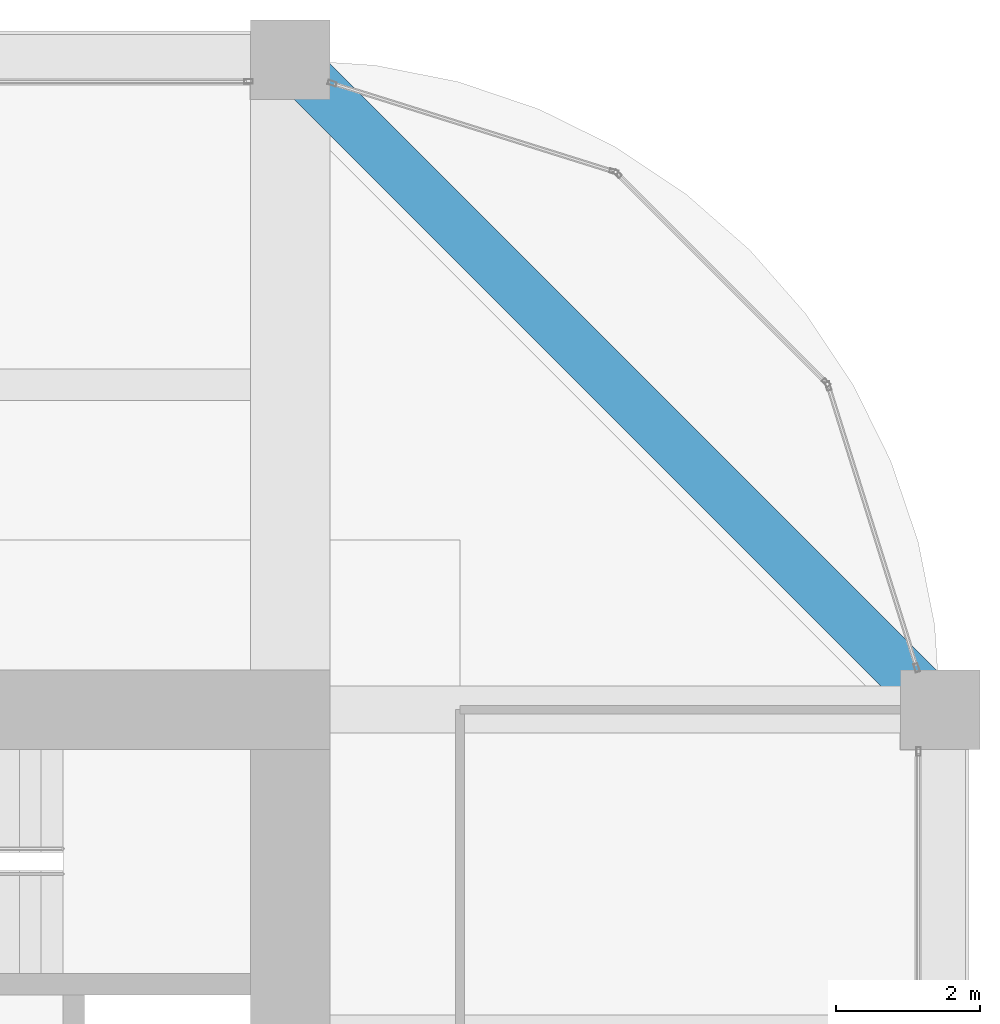
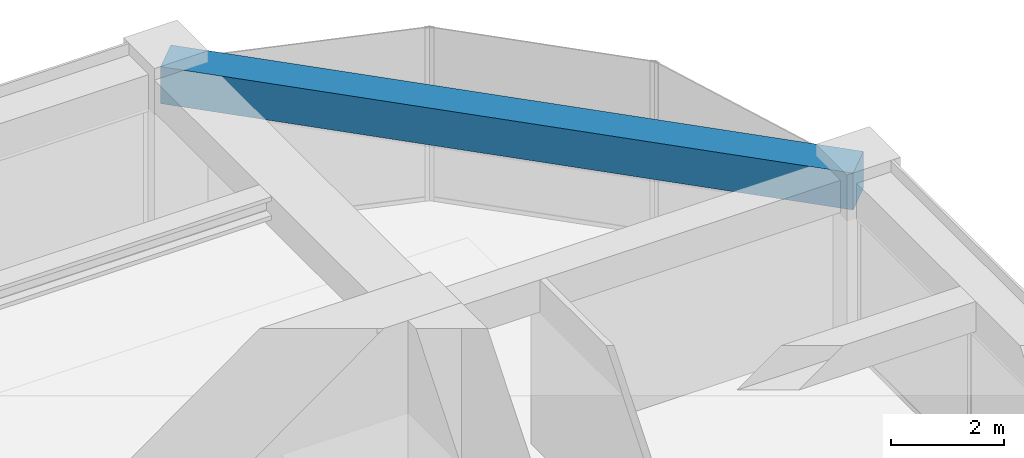
# One storey, part 38 of 45: 1 beam.
"""IFC4 building model written with IfcOpenShell, lengths in metres."""

from ifc_helpers import new_model, si_unit, direction, frame, origin, origin_2d, place, context, subcontext, project, spatial, rectangle, extrude, material, material_profile, profile_set, type_object, element, save


model = new_model("IFC4")

# Units and contexts
model_context = context("Model", 3, precision=1e-05, world=origin(), true_north=direction((0.0, 1.0)))
body_context = subcontext(model_context, "Body", "Model", "MODEL_VIEW")
ifc_project = project(units=[si_unit("LENGTHUNIT", "METRE"), si_unit("AREAUNIT", "SQUARE_METRE"), si_unit("VOLUMEUNIT", "CUBIC_METRE"), si_unit("PLANEANGLEUNIT", "RADIAN"), si_unit("MASSUNIT", "GRAM", prefix="KILO")], contexts=[model_context])

# Site, building, storey
site_placement = place(None, origin())
site = spatial("IfcSite", under=ifc_project, at=site_placement, CompositionType="ELEMENT")
building_placement = place(site_placement, origin())
building = spatial("IfcBuilding", under=site, at=building_placement, Name="Zorevar Civic Tower", CompositionType="ELEMENT")
storey_placement = place(building_placement, frame((0.0, 0.0, 303.39990234375)))
storey = spatial("IfcBuildingStorey", under=building, at=storey_placement, Name="L74", CompositionType="ELEMENT", Elevation=303.39990234375)

# Beam
ifc_material = material(Name="Concrete C50/60", Category="concrete")
ifc_material_profile = material_profile(ifc_material, rectangle(XDim=0.699951171875, YDim=0.800048828125, at=origin_2d()), Name="RC 700x800")
ifc_profile_set = profile_set([ifc_material_profile], Name="Concrete C50/60")
beam_type = type_object("IfcBeamType", Name="Edge beam RC 700x800", PredefinedType="SPANDREL", material=ifc_profile_set)
beam_placement = place(storey_placement, frame((54.0, 36.0, 3.35009765625), z_axis=(-0.707106781187, 0.707106781187, 0.0), x_axis=(-0.707106781187, -0.707106781187, 0.0)))
element("IfcBeam", 1, at=beam_placement, inside=storey, type_object=beam_type, Name="Corner edge beam L75", PredefinedType="SPANDREL", context=body_context, shape_type="SweptSolid", body=[
    extrude(rectangle(XDim=0.699951171875, YDim=0.800048828125, at=origin_2d()), origin(), (0.0, 0.0, 1.0), 12.72802734375),
])

save(model, "model.ifc")
